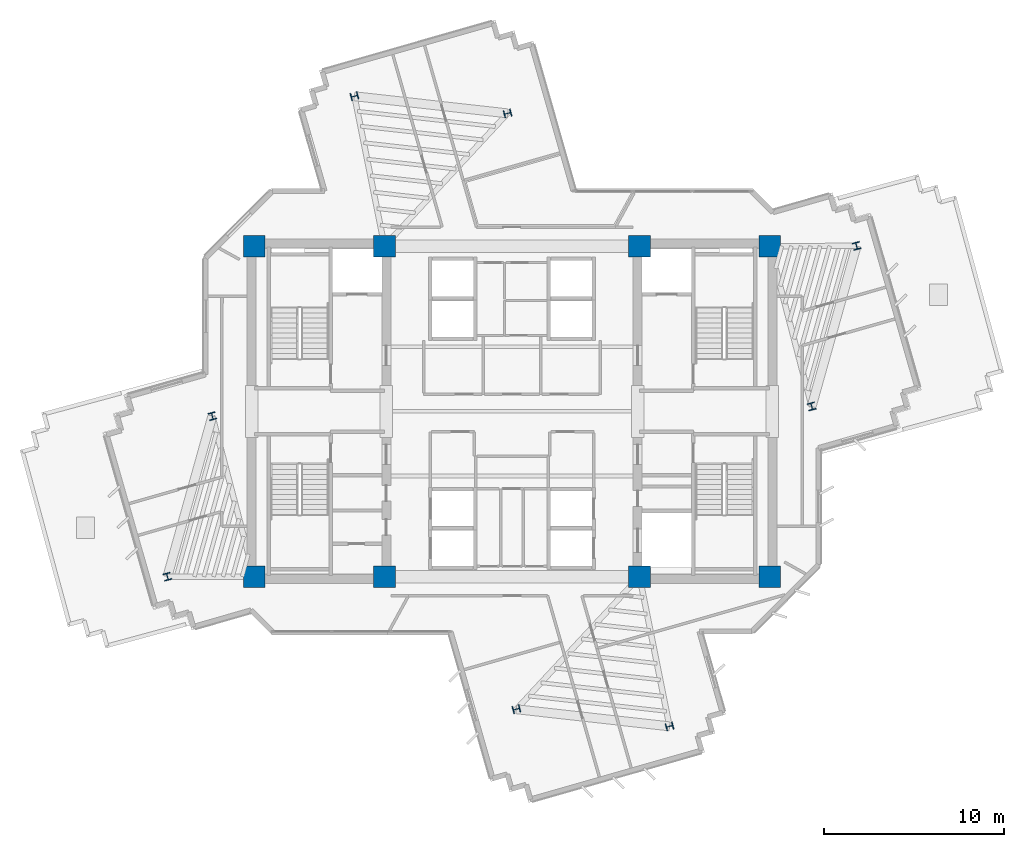
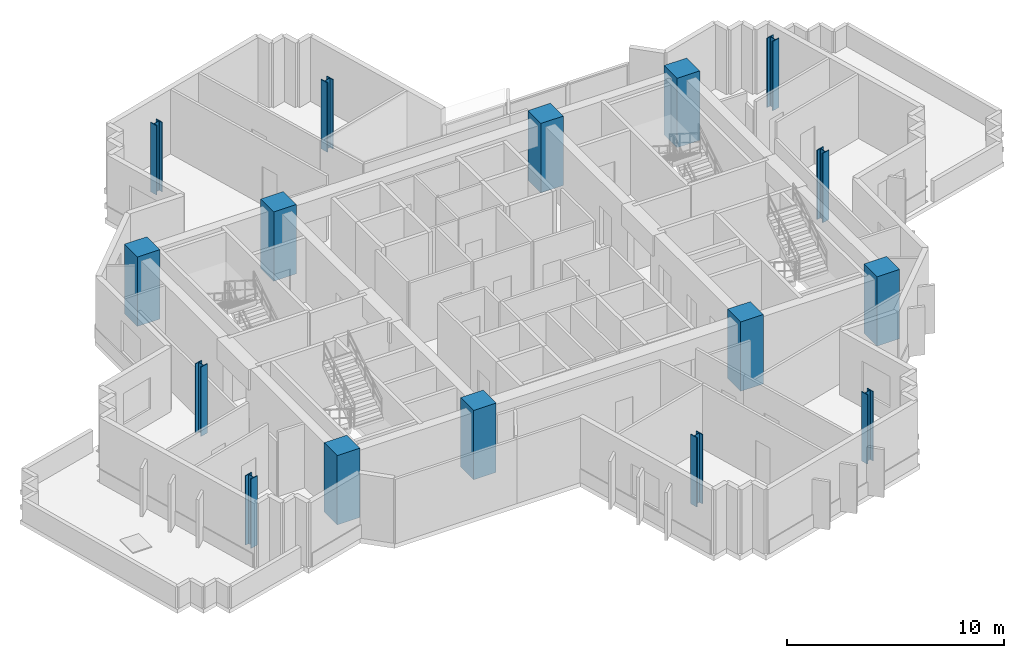
# One storey, part 1 of 14: 16 columns.
"""IFC4 building model written with IfcOpenShell, lengths in metres."""

from ifc_helpers import new_model, si_unit, direction, frame, origin, origin_2d, place, context, subcontext, project, spatial, rectangle, i_section, extrude, source, transform, mapped, material, material_profile, profile_set, type_object, element, save


model = new_model("IFC4")

# Units and contexts
model_context = context("Model", 3, precision=1e-05, world=origin(), true_north=direction((0.0, 1.0)))
body_context = subcontext(model_context, "Body", "Model", "MODEL_VIEW")
ifc_project = project(units=[si_unit("LENGTHUNIT", "METRE"), si_unit("AREAUNIT", "SQUARE_METRE"), si_unit("VOLUMEUNIT", "CUBIC_METRE"), si_unit("PLANEANGLEUNIT", "RADIAN"), si_unit("MASSUNIT", "GRAM", prefix="KILO")], contexts=[model_context])

# Site, building, storey
site_placement = place(None, origin())
site = spatial("IfcSite", under=ifc_project, at=site_placement, CompositionType="ELEMENT")
building_placement = place(site_placement, origin())
building = spatial("IfcBuilding", under=site, at=building_placement, Name="Zahravan Cultural Tower", CompositionType="ELEMENT")
storey_placement = place(building_placement, frame((0.0, 0.0, 201.89990234375)))
storey = spatial("IfcBuildingStorey", under=building, at=storey_placement, Name="L47", CompositionType="ELEMENT", Elevation=201.89990234375)

# Columns
ifc_material_1 = material(Name="Concrete C50/60", Category="concrete")
ifc_material_profile_1 = material_profile(ifc_material_1, rectangle(XDim=1.199951171875, YDim=1.199951171875, at=origin_2d()), Name="RC1200X1200")
ifc_profile_set_1 = profile_set([ifc_material_profile_1], Name="Concrete C50/60")
column_type_1 = type_object("IfcColumnType", Name="COL-RC1200", PredefinedType="COLUMN", material=ifc_profile_set_1)
shared_shape_1 = source(origin(), body_context, "Body", "SweptSolid", [
    extrude(rectangle(XDim=1.199951171875, YDim=1.199951171875, at=origin_2d()), origin(), (0.0, 0.0, 1.0), 3.900146484375),
])
for number, where, z_axis, x_axis, name in (
    (1, (21.64990234375, 17.800048828125, 0.0), (0.0, 0.0, 1.0), (1.0, 0.0, 0.0), "L47 Column CC-W1"),
    (2, (28.89990234375, 17.800048828125, 0.0), (0.0, 0.0, 1.0), (1.0, 0.0, 0.0), "L47 Column CC-W2"),
    (3, (21.64990234375, 36.199951171875, 0.0), (0.0, 0.0, 1.0), (1.0, 0.0, 0.0), "L47 Column CC-W3"),
    (4, (28.89990234375, 36.199951171875, 0.0), (0.0, 0.0, 1.0), (1.0, 0.0, 0.0), "L47 Column CC-W4"),
    (5, (43.10009765625, 17.800048828125, 0.0), (0.0, 0.0, 1.0), (1.0, 0.0, 0.0), "L47 Column CC-E1"),
    (6, (50.35009765625, 17.800048828125, 0.0), (0.0, 0.0, 1.0), (1.0, 0.0, 0.0), "L47 Column CC-E2"),
    (7, (43.10009765625, 36.199951171875, 0.0), (0.0, 0.0, 1.0), (1.0, 0.0, 0.0), "L47 Column CC-E3"),
    (8, (50.35009765625, 36.199951171875, 0.0), (0.0, 0.0, 1.0), (1.0, 0.0, 0.0), "L47 Column CC-E4"),
):
    element("IfcColumn", number, at=place(storey_placement, frame(where, z_axis=z_axis, x_axis=x_axis)), inside=storey, type_object=column_type_1, Name=name, PredefinedType="COLUMN", context=body_context, shape_type="MappedRepresentation", body=[
        mapped(shared_shape_1, transform((0.0, 0.0, 0.0), x_axis=(1.0, 0.0, 0.0), y_axis=(0.0, 1.0, 0.0), z_axis=(0.0, 0.0, 1.0), scale=1.0)),
    ])
ifc_material_2 = material(Name="Steel ASTM A992 Grade 50", Category="steel")
ifc_material_profile_2 = material_profile(ifc_material_2, i_section(OverallWidth=0.404052734375, OverallDepth=0.406982421875, WebThickness=0.027099609375, FlangeThickness=0.043701171875, FilletRadius=0.01806640625, at=origin_2d()), Name="W14X233")
ifc_profile_set_2 = profile_set([ifc_material_profile_2], Name="Steel ASTM A992 Grade 50")
column_type_2 = type_object("IfcColumnType", Name="COL-W14X233", PredefinedType="COLUMN", material=ifc_profile_set_2)
shared_shape_2 = source(origin(), body_context, "Body", "SweptSolid", [
    extrude(i_section(OverallWidth=0.404052734375, OverallDepth=0.406982421875, WebThickness=0.027099609375, FlangeThickness=0.043701171875, FilletRadius=0.01806640625, at=origin_2d()), origin(), (0.0, 0.0, 1.0), 3.900146484375),
])
for number, where, z_axis, x_axis, name in (
    (9, (52.684326171875, 27.27099609375, 0.0), (0.0, 0.0, 1.0), (0.966823388604, 0.255445757936, 0.0), "L47 Column Z2C-E1"),
    (10, (55.184814453125, 36.2060546875, 0.0), (0.0, 0.0, 1.0), (0.966823388604, 0.255445757936, 0.0), "L47 Column Z2C-E2"),
    (11, (35.754638671875, 43.587646484375, 0.0), (0.0, 0.0, 1.0), (-0.255445757936, 0.966823388604, 0.0), "L47 Column Z2C-N1"),
    (12, (27.22802734375, 44.541259765625, 0.0), (0.0, 0.0, 1.0), (-0.255445757936, 0.966823388604, 0.0), "L47 Column Z2C-N2"),
    (13, (19.315673828125, 26.72900390625, 0.0), (0.0, 0.0, 1.0), (0.966823388604, 0.255445757936, 0.0), "L47 Column Z2C-W1"),
    (14, (16.815185546875, 17.7939453125, 0.0), (0.0, 0.0, 1.0), (0.966823388604, 0.255445757936, 0.0), "L47 Column Z2C-W2"),
    (15, (36.245361328125, 10.412353515625, 0.0), (0.0, 0.0, 1.0), (-0.255445757936, 0.966823388604, 0.0), "L47 Column Z2C-S1"),
    (16, (44.77197265625, 9.458740234375, 0.0), (0.0, 0.0, 1.0), (-0.255445757936, 0.966823388604, 0.0), "L47 Column Z2C-S2"),
):
    element("IfcColumn", number, at=place(storey_placement, frame(where, z_axis=z_axis, x_axis=x_axis)), inside=storey, type_object=column_type_2, Name=name, PredefinedType="COLUMN", context=body_context, shape_type="MappedRepresentation", body=[
        mapped(shared_shape_2, transform((0.0, 0.0, 0.0), x_axis=(1.0, 0.0, 0.0), y_axis=(0.0, 1.0, 0.0), z_axis=(0.0, 0.0, 1.0), scale=1.0)),
    ])

save(model, "model.ifc")
